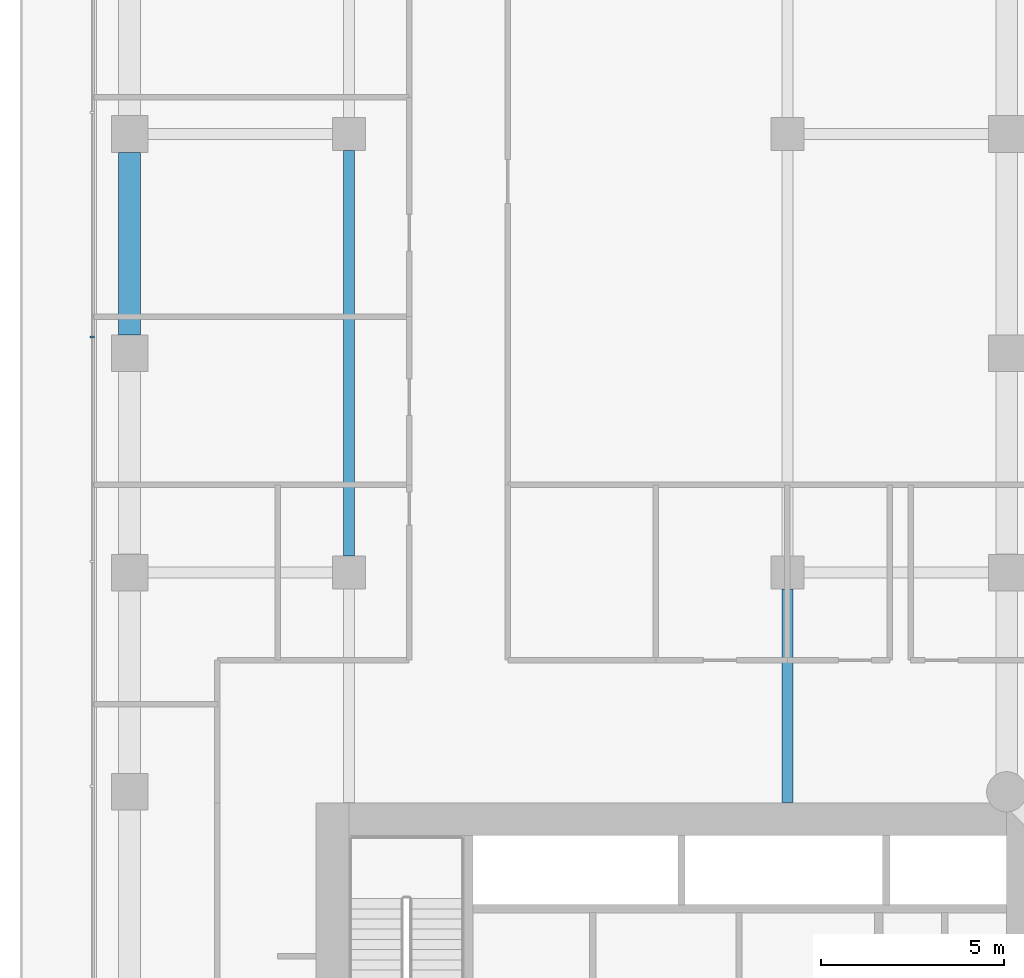
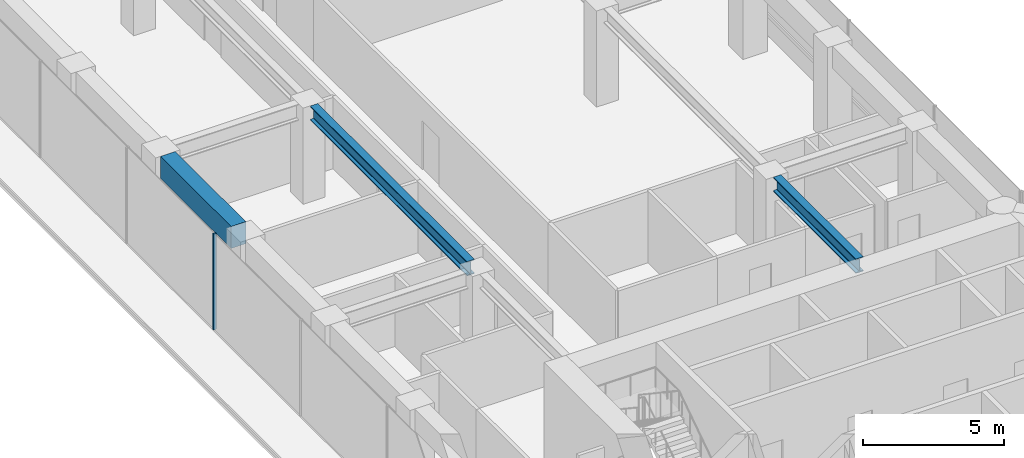
# One storey, part 13 of 24: 3 beams, 1 member, 1 element without a shape of its own.
"""IFC4 building model written with IfcOpenShell, lengths in metres."""

from ifc_helpers import new_model, si_unit, direction, frame, origin, origin_2d, place, context, subcontext, project, spatial, rectangle, i_section, extrude, material, layer, layer_set, material_profile, profile_set, type_object, element, aggregate, save


model = new_model("IFC4")

# Units and contexts
model_context = context("Model", 3, precision=1e-05, world=origin(), true_north=direction((0.0, 1.0)))
body_context = subcontext(model_context, "Body", "Model", "MODEL_VIEW")
ifc_project = project(units=[si_unit("LENGTHUNIT", "METRE"), si_unit("AREAUNIT", "SQUARE_METRE"), si_unit("VOLUMEUNIT", "CUBIC_METRE"), si_unit("PLANEANGLEUNIT", "RADIAN"), si_unit("MASSUNIT", "GRAM", prefix="KILO")], contexts=[model_context])

# Site, building, storey
site_placement = place(None, origin())
site = spatial("IfcSite", under=ifc_project, at=site_placement, CompositionType="ELEMENT")
building_placement = place(site_placement, origin())
building = spatial("IfcBuilding", under=site, at=building_placement, Name="Welwitschia Terrace Campus", CompositionType="ELEMENT")
storey_placement = place(building_placement, frame((0.0, 0.0, 24.5)))
storey = spatial("IfcBuildingStorey", under=building, at=storey_placement, Name="L05", CompositionType="ELEMENT", Elevation=24.5)

# Beams
ifc_material_1 = material(Name="Steel S355", Category="steel")
ifc_material_profile_1 = material_profile(ifc_material_1, i_section(OverallWidth=0.304931640625, OverallDepth=0.6201171875, WebThickness=0.02099609375, FlangeThickness=0.0400390625, FilletRadius=0.027099609375, at=origin_2d()))
ifc_profile_set_1 = profile_set([ifc_material_profile_1], Name="Steel S355")
beam_type_1 = type_object("IfcBeamType", Name="Interior girder HE 600 M", PredefinedType="BEAM", material=ifc_profile_set_1)
beam_1_placement = place(storey_placement, frame((6.0, 32.450439453125, 3.840087890625), z_axis=(0.0, 1.0, 0.0), x_axis=(-1.0, 0.0, 0.0)))
element("IfcBeam", 1, at=beam_1_placement, inside=storey, type_object=beam_type_1, Name="Girder GB1", PredefinedType="BEAM", context=body_context, shape_type="SweptSolid", body=[
    extrude(i_section(OverallWidth=0.304931640625, OverallDepth=0.6201171875, WebThickness=0.02099609375, FlangeThickness=0.0400390625, FilletRadius=0.027099609375, at=origin_2d()), origin(), (0.0, 0.0, 1.0), 11.09912109375),
])
beam_2_placement = place(storey_placement, frame((18.0, 25.700927734375, 3.840087890625), z_axis=(0.0, 1.0, 0.0), x_axis=(-1.0, 0.0, 0.0)))
element("IfcBeam", 2, at=beam_2_placement, inside=storey, type_object=beam_type_1, Name="Girder GB1", PredefinedType="BEAM", context=body_context, shape_type="SweptSolid", body=[
    extrude(i_section(OverallWidth=0.304931640625, OverallDepth=0.6201171875, WebThickness=0.02099609375, FlangeThickness=0.0400390625, FilletRadius=0.027099609375, at=origin_2d()), origin(), (0.0, 0.0, 1.0), 5.8486328125),
])

# Curtain wall, member
ifc_material_2 = material(Name="Bronze anodised aluminium", Category="aluminium")
ifc_layer = layer(ifc_material_2, 0.1201171875)
ifc_layer_set = layer_set([ifc_layer], Name="Bronze anodised aluminium")
curtain_wall_type = type_object("IfcCurtainWallType", Name="Curtain wall CW2 tower 6000", PredefinedType="NOTDEFINED", material=ifc_layer_set)
curtain_wall_placement = place(storey_placement, origin())
curtain_wall = element("IfcCurtainWall", 3, at=curtain_wall_placement, inside=storey, type_object=curtain_wall_type, Name="CW L05.9.0", PredefinedType="NOTDEFINED")
ifc_material_3 = material(Name="Bronze anodised aluminium", Category="aluminium")
ifc_material_profile_2 = material_profile(ifc_material_3, rectangle(XDim=0.1201171875, YDim=0.06005859375, at=origin_2d()))
ifc_profile_set_2 = profile_set([ifc_material_profile_2], Name="Bronze anodised aluminium")
member_type = type_object("IfcMemberType", Name="Mullion 60x120", PredefinedType="MULLION", material=ifc_profile_set_2)
member_placement = place(storey_placement, frame((-1.02001953125, 38.443115234375, 0.0), z_axis=(0.0, 0.0, 1.0), x_axis=(1.0, 0.0, 0.0)))
member = element("IfcMember", 4, at=member_placement, type_object=member_type, Name="Mullion L05.9.0.4", PredefinedType="MULLION", context=body_context, shape_type="SweptSolid", body=[
    extrude(rectangle(XDim=0.1201171875, YDim=0.06005859375, at=origin_2d()), origin(), (0.0, 0.0, 1.0), 4.14990234375),
])
aggregate(curtain_wall, [member])

# Beam
ifc_material_4 = material(Name="Concrete C60/75", Category="concrete")
ifc_material_profile_3 = material_profile(ifc_material_4, rectangle(XDim=0.60009765625, YDim=0.949951171875, at=origin_2d()))
ifc_profile_set_3 = profile_set([ifc_material_profile_3], Name="Concrete C60/75")
beam_type_2 = type_object("IfcBeamType", Name="Ring spandrel 600x950", PredefinedType="SPANDREL", material=ifc_profile_set_3)
beam_3_placement = place(storey_placement, frame((0.0, 43.49951171875, 3.675048828125), z_axis=(0.0, -1.0, 0.0), x_axis=(1.0, 0.0, 0.0)))
element("IfcBeam", 5, at=beam_3_placement, inside=storey, type_object=beam_type_2, Name="Spandrel SP1", PredefinedType="SPANDREL", context=body_context, shape_type="SweptSolid", body=[
    extrude(rectangle(XDim=0.60009765625, YDim=0.949951171875, at=origin_2d()), origin(), (0.0, 0.0, 1.0), 4.9990234375),
])

save(model, "model.ifc")
